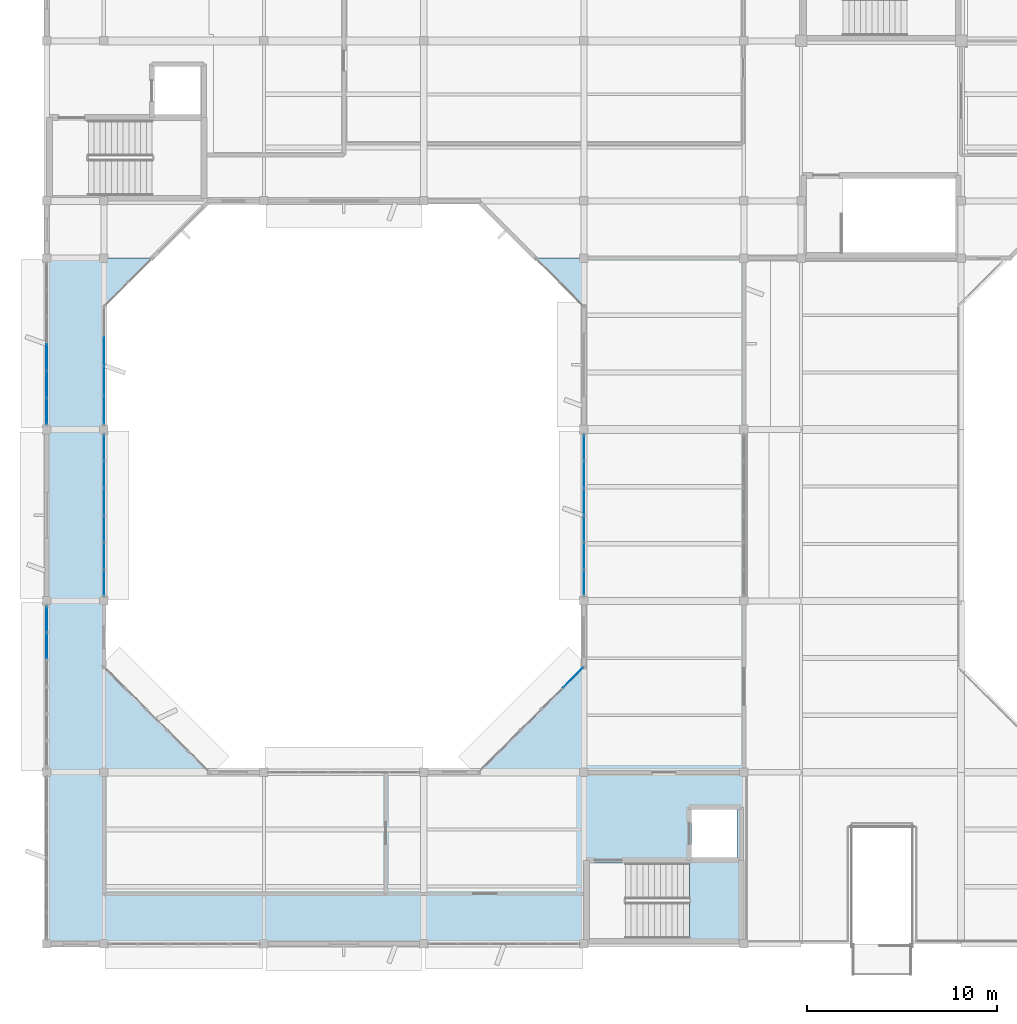
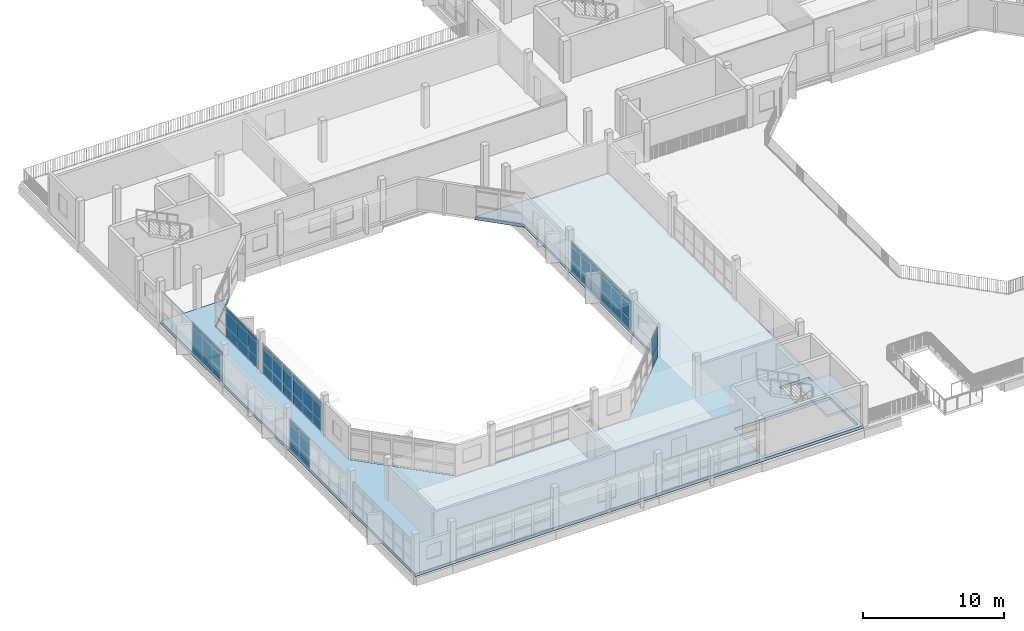
# One storey, part 18 of 42: 63 plates, 2 slabs, 7 elements without a shape of their own.
"""IFC4 building model written with IfcOpenShell, lengths in metres."""

from ifc_helpers import new_model, si_unit, direction, frame, origin, origin_2d, place, context, subcontext, project, spatial, polyline, rectangle, outline, extrude, material, layer, layer_set, type_object, element, aggregate, save


model = new_model("IFC4")

# Units and contexts
model_context = context("Model", 3, precision=1e-05, world=origin(), true_north=direction((0.0, 1.0)))
body_context = subcontext(model_context, "Body", "Model", "MODEL_VIEW")
ifc_project = project(units=[si_unit("LENGTHUNIT", "METRE"), si_unit("AREAUNIT", "SQUARE_METRE"), si_unit("VOLUMEUNIT", "CUBIC_METRE"), si_unit("PLANEANGLEUNIT", "RADIAN"), si_unit("MASSUNIT", "GRAM", prefix="KILO")], contexts=[model_context])

# Site, building, storey
site_placement = place(None, origin())
site = spatial("IfcSite", under=ifc_project, at=site_placement, CompositionType="ELEMENT")
building_placement = place(site_placement, origin())
building = spatial("IfcBuilding", under=site, at=building_placement, Name="Vanh Quang Courtyard School", CompositionType="ELEMENT")
storey_placement = place(building_placement, frame((0.0, 0.0, 15.0)))
storey = spatial("IfcBuildingStorey", under=building, at=storey_placement, Name="L04", CompositionType="ELEMENT", Elevation=15.0)

# Curtain wall, plates
ifc_material_1 = material(Name="Thermally broken aluminium unitised curtain wall", Category="aluminium")
curtain_wall_type_1 = type_object("IfcCurtainWallType", Name="CW-SYS-50", PredefinedType="NOTDEFINED", material=ifc_material_1)
curtain_wall_1_placement = place(storey_placement, origin())
curtain_wall_1 = element("IfcCurtainWall", 1, at=curtain_wall_1_placement, inside=storey, type_object=curtain_wall_type_1, Name="Curtain Wall CW-50 (L04)", PredefinedType="NOTDEFINED")
ifc_material_2 = material(Name="Low-E laminated double glazing", Category="glass")
ifc_layer_1 = layer(ifc_material_2, 0.028076171875)
ifc_layer_set_1 = layer_set([ifc_layer_1], Name="Low-E laminated double glazing")
plate_type_1 = type_object("IfcPlateType", Name="CW-PNL-28", PredefinedType="CURTAIN_PANEL", material=ifc_layer_set_1)
plate_1_placement = place(storey_placement, frame((37.800048828125, 60.359130859375, 0.06005859375), z_axis=(0.0, 0.0, 1.0), x_axis=(0.0, 1.0, 0.0)))
plate_1 = element("IfcPlate", 2, at=plate_1_placement, type_object=plate_type_1, Name="CW-50 panel 1.1", PredefinedType="CURTAIN_PANEL", context=body_context, shape_type="SweptSolid", body=[
    extrude(rectangle(XDim=1.332275390625, YDim=0.028076171875, at=origin_2d()), origin(), (0.0, 0.0, 1.0), 0.860107421875),
])
plate_2_placement = place(storey_placement, frame((37.800048828125, 60.359130859375, 0.97998046875), z_axis=(0.0, 0.0, 1.0), x_axis=(0.0, 1.0, 0.0)))
plate_2 = element("IfcPlate", 3, at=plate_2_placement, type_object=plate_type_1, Name="CW-50 panel 1.2", PredefinedType="CURTAIN_PANEL", context=body_context, shape_type="SweptSolid", body=[
    extrude(rectangle(XDim=1.332275390625, YDim=0.028076171875, at=origin_2d()), origin(), (0.0, 0.0, 1.0), 1.239990234375),
])
plate_3_placement = place(storey_placement, frame((37.800048828125, 60.359130859375, 2.280029296875), z_axis=(0.0, 0.0, 1.0), x_axis=(0.0, 1.0, 0.0)))
plate_3 = element("IfcPlate", 4, at=plate_3_placement, type_object=plate_type_1, Name="CW-50 panel 1.3", PredefinedType="CURTAIN_PANEL", context=body_context, shape_type="SweptSolid", body=[
    extrude(rectangle(XDim=1.332275390625, YDim=0.028076171875, at=origin_2d()), origin(), (0.0, 0.0, 1.0), 0.31005859375),
])
plate_4_placement = place(storey_placement, frame((37.800048828125, 61.7666015625, 0.06005859375), z_axis=(0.0, 0.0, 1.0), x_axis=(0.0, 1.0, 0.0)))
plate_4 = element("IfcPlate", 5, at=plate_4_placement, type_object=plate_type_1, Name="CW-50 panel 2.1", PredefinedType="CURTAIN_PANEL", context=body_context, shape_type="SweptSolid", body=[
    extrude(rectangle(XDim=1.3623046875, YDim=0.028076171875, at=origin_2d()), origin(), (0.0, 0.0, 1.0), 0.860107421875),
])
plate_5_placement = place(storey_placement, frame((37.800048828125, 61.7666015625, 0.97998046875), z_axis=(0.0, 0.0, 1.0), x_axis=(0.0, 1.0, 0.0)))
plate_5 = element("IfcPlate", 6, at=plate_5_placement, type_object=plate_type_1, Name="CW-50 panel 2.2", PredefinedType="CURTAIN_PANEL", context=body_context, shape_type="SweptSolid", body=[
    extrude(rectangle(XDim=1.3623046875, YDim=0.028076171875, at=origin_2d()), origin(), (0.0, 0.0, 1.0), 1.239990234375),
])
plate_6_placement = place(storey_placement, frame((37.800048828125, 61.7666015625, 2.280029296875), z_axis=(0.0, 0.0, 1.0), x_axis=(0.0, 1.0, 0.0)))
plate_6 = element("IfcPlate", 7, at=plate_6_placement, type_object=plate_type_1, Name="CW-50 panel 2.3", PredefinedType="CURTAIN_PANEL", context=body_context, shape_type="SweptSolid", body=[
    extrude(rectangle(XDim=1.3623046875, YDim=0.028076171875, at=origin_2d()), origin(), (0.0, 0.0, 1.0), 0.31005859375),
])
plate_7_placement = place(storey_placement, frame((37.800048828125, 63.188720703125, 0.06005859375), z_axis=(0.0, 0.0, 1.0), x_axis=(0.0, 1.0, 0.0)))
plate_7 = element("IfcPlate", 8, at=plate_7_placement, type_object=plate_type_1, Name="CW-50 panel 3.1", PredefinedType="CURTAIN_PANEL", context=body_context, shape_type="SweptSolid", body=[
    extrude(rectangle(XDim=1.3623046875, YDim=0.028076171875, at=origin_2d()), origin(), (0.0, 0.0, 1.0), 0.860107421875),
])
plate_8_placement = place(storey_placement, frame((37.800048828125, 63.188720703125, 0.97998046875), z_axis=(0.0, 0.0, 1.0), x_axis=(0.0, 1.0, 0.0)))
plate_8 = element("IfcPlate", 9, at=plate_8_placement, type_object=plate_type_1, Name="CW-50 panel 3.2", PredefinedType="CURTAIN_PANEL", context=body_context, shape_type="SweptSolid", body=[
    extrude(rectangle(XDim=1.3623046875, YDim=0.028076171875, at=origin_2d()), origin(), (0.0, 0.0, 1.0), 1.239990234375),
])
plate_9_placement = place(storey_placement, frame((37.800048828125, 63.188720703125, 2.280029296875), z_axis=(0.0, 0.0, 1.0), x_axis=(0.0, 1.0, 0.0)))
plate_9 = element("IfcPlate", 10, at=plate_9_placement, type_object=plate_type_1, Name="CW-50 panel 3.3", PredefinedType="CURTAIN_PANEL", context=body_context, shape_type="SweptSolid", body=[
    extrude(rectangle(XDim=1.3623046875, YDim=0.028076171875, at=origin_2d()), origin(), (0.0, 0.0, 1.0), 0.31005859375),
])
aggregate(curtain_wall_1, [plate_1, plate_2, plate_3, plate_4, plate_5, plate_6, plate_7, plate_8, plate_9])

curtain_wall_2_placement = place(storey_placement, origin())
curtain_wall_2 = element("IfcCurtainWall", 11, at=curtain_wall_2_placement, inside=storey, type_object=curtain_wall_type_1, Name="Curtain Wall CW-50 (L04)", PredefinedType="NOTDEFINED")
plate_10_placement = place(storey_placement, frame((40.800048828125, 58.438232421875, 0.06982421875), z_axis=(0.0, 0.0, 1.0), x_axis=(0.0, -1.0, 0.0)))
plate_10 = element("IfcPlate", 12, at=plate_10_placement, type_object=plate_type_1, Name="CW-50 panel 1.1", PredefinedType="CURTAIN_PANEL", context=body_context, shape_type="SweptSolid", body=[
    extrude(rectangle(XDim=1.3173828125, YDim=0.028076171875, at=origin_2d()), origin(), (0.0, 0.0, 1.0), 0.844970703125),
])
plate_11_placement = place(storey_placement, frame((40.800048828125, 58.438232421875, 0.985107421875), z_axis=(0.0, 0.0, 1.0), x_axis=(0.0, -1.0, 0.0)))
plate_11 = element("IfcPlate", 13, at=plate_11_placement, type_object=plate_type_1, Name="CW-50 panel 1.2", PredefinedType="CURTAIN_PANEL", context=body_context, shape_type="SweptSolid", body=[
    extrude(rectangle(XDim=1.3173828125, YDim=0.028076171875, at=origin_2d()), origin(), (0.0, 0.0, 1.0), 1.22998046875),
])
plate_12_placement = place(storey_placement, frame((40.800048828125, 58.438232421875, 2.28515625), z_axis=(0.0, 0.0, 1.0), x_axis=(0.0, -1.0, 0.0)))
plate_12 = element("IfcPlate", 14, at=plate_12_placement, type_object=plate_type_1, Name="CW-50 panel 1.3", PredefinedType="CURTAIN_PANEL", context=body_context, shape_type="SweptSolid", body=[
    extrude(rectangle(XDim=1.3173828125, YDim=0.028076171875, at=origin_2d()), origin(), (0.0, 0.0, 1.0), 0.294921875),
])
plate_13_placement = place(storey_placement, frame((40.800048828125, 57.033447265625, 0.06982421875), z_axis=(0.0, 0.0, 1.0), x_axis=(0.0, -1.0, 0.0)))
plate_13 = element("IfcPlate", 15, at=plate_13_placement, type_object=plate_type_1, Name="CW-50 panel 2.1", PredefinedType="CURTAIN_PANEL", context=body_context, shape_type="SweptSolid", body=[
    extrude(rectangle(XDim=1.352294921875, YDim=0.028076171875, at=origin_2d()), origin(), (0.0, 0.0, 1.0), 0.844970703125),
])
plate_14_placement = place(storey_placement, frame((40.800048828125, 57.033447265625, 0.985107421875), z_axis=(0.0, 0.0, 1.0), x_axis=(0.0, -1.0, 0.0)))
plate_14 = element("IfcPlate", 16, at=plate_14_placement, type_object=plate_type_1, Name="CW-50 panel 2.2", PredefinedType="CURTAIN_PANEL", context=body_context, shape_type="SweptSolid", body=[
    extrude(rectangle(XDim=1.352294921875, YDim=0.028076171875, at=origin_2d()), origin(), (0.0, 0.0, 1.0), 1.22998046875),
])
plate_15_placement = place(storey_placement, frame((40.800048828125, 57.033447265625, 2.28515625), z_axis=(0.0, 0.0, 1.0), x_axis=(0.0, -1.0, 0.0)))
plate_15 = element("IfcPlate", 17, at=plate_15_placement, type_object=plate_type_1, Name="CW-50 panel 2.3", PredefinedType="CURTAIN_PANEL", context=body_context, shape_type="SweptSolid", body=[
    extrude(rectangle(XDim=1.352294921875, YDim=0.028076171875, at=origin_2d()), origin(), (0.0, 0.0, 1.0), 0.294921875),
])
plate_16_placement = place(storey_placement, frame((40.800048828125, 55.611083984375, 0.06982421875), z_axis=(0.0, 0.0, 1.0), x_axis=(0.0, -1.0, 0.0)))
plate_16 = element("IfcPlate", 18, at=plate_16_placement, type_object=plate_type_1, Name="CW-50 panel 3.1", PredefinedType="CURTAIN_PANEL", context=body_context, shape_type="SweptSolid", body=[
    extrude(rectangle(XDim=1.352294921875, YDim=0.028076171875, at=origin_2d()), origin(), (0.0, 0.0, 1.0), 0.844970703125),
])
plate_17_placement = place(storey_placement, frame((40.800048828125, 55.611083984375, 0.985107421875), z_axis=(0.0, 0.0, 1.0), x_axis=(0.0, -1.0, 0.0)))
plate_17 = element("IfcPlate", 19, at=plate_17_placement, type_object=plate_type_1, Name="CW-50 panel 3.2", PredefinedType="CURTAIN_PANEL", context=body_context, shape_type="SweptSolid", body=[
    extrude(rectangle(XDim=1.352294921875, YDim=0.028076171875, at=origin_2d()), origin(), (0.0, 0.0, 1.0), 1.22998046875),
])
plate_18_placement = place(storey_placement, frame((40.800048828125, 55.611083984375, 2.28515625), z_axis=(0.0, 0.0, 1.0), x_axis=(0.0, -1.0, 0.0)))
plate_18 = element("IfcPlate", 20, at=plate_18_placement, type_object=plate_type_1, Name="CW-50 panel 3.3", PredefinedType="CURTAIN_PANEL", context=body_context, shape_type="SweptSolid", body=[
    extrude(rectangle(XDim=1.352294921875, YDim=0.028076171875, at=origin_2d()), origin(), (0.0, 0.0, 1.0), 0.294921875),
])
plate_19_placement = place(storey_placement, frame((40.800048828125, 54.188720703125, 0.06982421875), z_axis=(0.0, 0.0, 1.0), x_axis=(0.0, -1.0, 0.0)))
plate_19 = element("IfcPlate", 21, at=plate_19_placement, type_object=plate_type_1, Name="CW-50 panel 4.1", PredefinedType="CURTAIN_PANEL", context=body_context, shape_type="SweptSolid", body=[
    extrude(rectangle(XDim=1.352294921875, YDim=0.028076171875, at=origin_2d()), origin(), (0.0, 0.0, 1.0), 0.844970703125),
])
plate_20_placement = place(storey_placement, frame((40.800048828125, 54.188720703125, 0.985107421875), z_axis=(0.0, 0.0, 1.0), x_axis=(0.0, -1.0, 0.0)))
plate_20 = element("IfcPlate", 22, at=plate_20_placement, type_object=plate_type_1, Name="CW-50 panel 4.2", PredefinedType="CURTAIN_PANEL", context=body_context, shape_type="SweptSolid", body=[
    extrude(rectangle(XDim=1.352294921875, YDim=0.028076171875, at=origin_2d()), origin(), (0.0, 0.0, 1.0), 1.22998046875),
])
plate_21_placement = place(storey_placement, frame((40.800048828125, 54.188720703125, 2.28515625), z_axis=(0.0, 0.0, 1.0), x_axis=(0.0, -1.0, 0.0)))
plate_21 = element("IfcPlate", 23, at=plate_21_placement, type_object=plate_type_1, Name="CW-50 panel 4.3", PredefinedType="CURTAIN_PANEL", context=body_context, shape_type="SweptSolid", body=[
    extrude(rectangle(XDim=1.352294921875, YDim=0.028076171875, at=origin_2d()), origin(), (0.0, 0.0, 1.0), 0.294921875),
])
plate_22_placement = place(storey_placement, frame((40.800048828125, 52.7666015625, 0.06982421875), z_axis=(0.0, 0.0, 1.0), x_axis=(0.0, -1.0, 0.0)))
plate_22 = element("IfcPlate", 24, at=plate_22_placement, type_object=plate_type_1, Name="CW-50 panel 5.1", PredefinedType="CURTAIN_PANEL", context=body_context, shape_type="SweptSolid", body=[
    extrude(rectangle(XDim=1.352294921875, YDim=0.028076171875, at=origin_2d()), origin(), (0.0, 0.0, 1.0), 0.844970703125),
])
plate_23_placement = place(storey_placement, frame((40.800048828125, 52.7666015625, 0.985107421875), z_axis=(0.0, 0.0, 1.0), x_axis=(0.0, -1.0, 0.0)))
plate_23 = element("IfcPlate", 25, at=plate_23_placement, type_object=plate_type_1, Name="CW-50 panel 5.2", PredefinedType="CURTAIN_PANEL", context=body_context, shape_type="SweptSolid", body=[
    extrude(rectangle(XDim=1.352294921875, YDim=0.028076171875, at=origin_2d()), origin(), (0.0, 0.0, 1.0), 1.22998046875),
])
plate_24_placement = place(storey_placement, frame((40.800048828125, 52.7666015625, 2.28515625), z_axis=(0.0, 0.0, 1.0), x_axis=(0.0, -1.0, 0.0)))
plate_24 = element("IfcPlate", 26, at=plate_24_placement, type_object=plate_type_1, Name="CW-50 panel 5.3", PredefinedType="CURTAIN_PANEL", context=body_context, shape_type="SweptSolid", body=[
    extrude(rectangle(XDim=1.352294921875, YDim=0.028076171875, at=origin_2d()), origin(), (0.0, 0.0, 1.0), 0.294921875),
])
plate_25_placement = place(storey_placement, frame((40.800048828125, 51.361572265625, 0.06982421875), z_axis=(0.0, 0.0, 1.0), x_axis=(0.0, -1.0, 0.0)))
plate_25 = element("IfcPlate", 27, at=plate_25_placement, type_object=plate_type_1, Name="CW-50 panel 6.1", PredefinedType="CURTAIN_PANEL", context=body_context, shape_type="SweptSolid", body=[
    extrude(rectangle(XDim=1.3173828125, YDim=0.028076171875, at=origin_2d()), origin(), (0.0, 0.0, 1.0), 0.844970703125),
])
plate_26_placement = place(storey_placement, frame((40.800048828125, 51.361572265625, 0.985107421875), z_axis=(0.0, 0.0, 1.0), x_axis=(0.0, -1.0, 0.0)))
plate_26 = element("IfcPlate", 28, at=plate_26_placement, type_object=plate_type_1, Name="CW-50 panel 6.2", PredefinedType="CURTAIN_PANEL", context=body_context, shape_type="SweptSolid", body=[
    extrude(rectangle(XDim=1.3173828125, YDim=0.028076171875, at=origin_2d()), origin(), (0.0, 0.0, 1.0), 1.22998046875),
])
plate_27_placement = place(storey_placement, frame((40.800048828125, 51.361572265625, 2.28515625), z_axis=(0.0, 0.0, 1.0), x_axis=(0.0, -1.0, 0.0)))
plate_27 = element("IfcPlate", 29, at=plate_27_placement, type_object=plate_type_1, Name="CW-50 panel 6.3", PredefinedType="CURTAIN_PANEL", context=body_context, shape_type="SweptSolid", body=[
    extrude(rectangle(XDim=1.3173828125, YDim=0.028076171875, at=origin_2d()), origin(), (0.0, 0.0, 1.0), 0.294921875),
])
aggregate(curtain_wall_2, [plate_10, plate_11, plate_12, plate_13, plate_14, plate_15, plate_16, plate_17, plate_18, plate_19, plate_20, plate_21, plate_22, plate_23, plate_24, plate_25, plate_26, plate_27])

curtain_wall_3_placement = place(storey_placement, origin())
curtain_wall_3 = element("IfcCurtainWall", 30, at=curtain_wall_3_placement, inside=storey, type_object=curtain_wall_type_1, Name="Curtain Wall CW-50 (L04)", PredefinedType="NOTDEFINED")
plate_28_placement = place(storey_placement, frame((66.0, 51.3642578125, 0.080078125), z_axis=(0.0, 0.0, 1.0), x_axis=(0.0, 1.0, 0.0)))
plate_28 = element("IfcPlate", 31, at=plate_28_placement, type_object=plate_type_1, Name="CW-50 panel 1.1", PredefinedType="CURTAIN_PANEL", context=body_context, shape_type="SweptSolid", body=[
    extrude(rectangle(XDim=1.30224609375, YDim=0.028076171875, at=origin_2d()), origin(), (0.0, 0.0, 1.0), 0.830078125),
])
plate_29_placement = place(storey_placement, frame((66.0, 51.3642578125, 0.990234375), z_axis=(0.0, 0.0, 1.0), x_axis=(0.0, 1.0, 0.0)))
plate_29 = element("IfcPlate", 32, at=plate_29_placement, type_object=plate_type_1, Name="CW-50 panel 1.2", PredefinedType="CURTAIN_PANEL", context=body_context, shape_type="SweptSolid", body=[
    extrude(rectangle(XDim=1.30224609375, YDim=0.028076171875, at=origin_2d()), origin(), (0.0, 0.0, 1.0), 1.219970703125),
])
plate_30_placement = place(storey_placement, frame((66.0, 51.3642578125, 2.2900390625), z_axis=(0.0, 0.0, 1.0), x_axis=(0.0, 1.0, 0.0)))
plate_30 = element("IfcPlate", 33, at=plate_30_placement, type_object=plate_type_1, Name="CW-50 panel 1.3", PredefinedType="CURTAIN_PANEL", context=body_context, shape_type="SweptSolid", body=[
    extrude(rectangle(XDim=1.30224609375, YDim=0.028076171875, at=origin_2d()), origin(), (0.0, 0.0, 1.0), 0.280029296875),
])
plate_31_placement = place(storey_placement, frame((66.0, 52.7666015625, 0.080078125), z_axis=(0.0, 0.0, 1.0), x_axis=(0.0, 1.0, 0.0)))
plate_31 = element("IfcPlate", 34, at=plate_31_placement, type_object=plate_type_1, Name="CW-50 panel 2.1", PredefinedType="CURTAIN_PANEL", context=body_context, shape_type="SweptSolid", body=[
    extrude(rectangle(XDim=1.34228515625, YDim=0.028076171875, at=origin_2d()), origin(), (0.0, 0.0, 1.0), 0.830078125),
])
plate_32_placement = place(storey_placement, frame((66.0, 52.7666015625, 0.990234375), z_axis=(0.0, 0.0, 1.0), x_axis=(0.0, 1.0, 0.0)))
plate_32 = element("IfcPlate", 35, at=plate_32_placement, type_object=plate_type_1, Name="CW-50 panel 2.2", PredefinedType="CURTAIN_PANEL", context=body_context, shape_type="SweptSolid", body=[
    extrude(rectangle(XDim=1.34228515625, YDim=0.028076171875, at=origin_2d()), origin(), (0.0, 0.0, 1.0), 1.219970703125),
])
plate_33_placement = place(storey_placement, frame((66.0, 52.7666015625, 2.2900390625), z_axis=(0.0, 0.0, 1.0), x_axis=(0.0, 1.0, 0.0)))
plate_33 = element("IfcPlate", 36, at=plate_33_placement, type_object=plate_type_1, Name="CW-50 panel 2.3", PredefinedType="CURTAIN_PANEL", context=body_context, shape_type="SweptSolid", body=[
    extrude(rectangle(XDim=1.34228515625, YDim=0.028076171875, at=origin_2d()), origin(), (0.0, 0.0, 1.0), 0.280029296875),
])
plate_34_placement = place(storey_placement, frame((66.0, 54.188720703125, 0.080078125), z_axis=(0.0, 0.0, 1.0), x_axis=(0.0, 1.0, 0.0)))
plate_34 = element("IfcPlate", 37, at=plate_34_placement, type_object=plate_type_1, Name="CW-50 panel 3.1", PredefinedType="CURTAIN_PANEL", context=body_context, shape_type="SweptSolid", body=[
    extrude(rectangle(XDim=1.34228515625, YDim=0.028076171875, at=origin_2d()), origin(), (0.0, 0.0, 1.0), 0.830078125),
])
plate_35_placement = place(storey_placement, frame((66.0, 54.188720703125, 0.990234375), z_axis=(0.0, 0.0, 1.0), x_axis=(0.0, 1.0, 0.0)))
plate_35 = element("IfcPlate", 38, at=plate_35_placement, type_object=plate_type_1, Name="CW-50 panel 3.2", PredefinedType="CURTAIN_PANEL", context=body_context, shape_type="SweptSolid", body=[
    extrude(rectangle(XDim=1.34228515625, YDim=0.028076171875, at=origin_2d()), origin(), (0.0, 0.0, 1.0), 1.219970703125),
])
plate_36_placement = place(storey_placement, frame((66.0, 54.188720703125, 2.2900390625), z_axis=(0.0, 0.0, 1.0), x_axis=(0.0, 1.0, 0.0)))
plate_36 = element("IfcPlate", 39, at=plate_36_placement, type_object=plate_type_1, Name="CW-50 panel 3.3", PredefinedType="CURTAIN_PANEL", context=body_context, shape_type="SweptSolid", body=[
    extrude(rectangle(XDim=1.34228515625, YDim=0.028076171875, at=origin_2d()), origin(), (0.0, 0.0, 1.0), 0.280029296875),
])
plate_37_placement = place(storey_placement, frame((66.0, 55.611083984375, 0.080078125), z_axis=(0.0, 0.0, 1.0), x_axis=(0.0, 1.0, 0.0)))
plate_37 = element("IfcPlate", 40, at=plate_37_placement, type_object=plate_type_1, Name="CW-50 panel 4.1", PredefinedType="CURTAIN_PANEL", context=body_context, shape_type="SweptSolid", body=[
    extrude(rectangle(XDim=1.34228515625, YDim=0.028076171875, at=origin_2d()), origin(), (0.0, 0.0, 1.0), 0.830078125),
])
plate_38_placement = place(storey_placement, frame((66.0, 55.611083984375, 0.990234375), z_axis=(0.0, 0.0, 1.0), x_axis=(0.0, 1.0, 0.0)))
plate_38 = element("IfcPlate", 41, at=plate_38_placement, type_object=plate_type_1, Name="CW-50 panel 4.2", PredefinedType="CURTAIN_PANEL", context=body_context, shape_type="SweptSolid", body=[
    extrude(rectangle(XDim=1.34228515625, YDim=0.028076171875, at=origin_2d()), origin(), (0.0, 0.0, 1.0), 1.219970703125),
])
plate_39_placement = place(storey_placement, frame((66.0, 55.611083984375, 2.2900390625), z_axis=(0.0, 0.0, 1.0), x_axis=(0.0, 1.0, 0.0)))
plate_39 = element("IfcPlate", 42, at=plate_39_placement, type_object=plate_type_1, Name="CW-50 panel 4.3", PredefinedType="CURTAIN_PANEL", context=body_context, shape_type="SweptSolid", body=[
    extrude(rectangle(XDim=1.34228515625, YDim=0.028076171875, at=origin_2d()), origin(), (0.0, 0.0, 1.0), 0.280029296875),
])
plate_40_placement = place(storey_placement, frame((66.0, 57.033447265625, 0.080078125), z_axis=(0.0, 0.0, 1.0), x_axis=(0.0, 1.0, 0.0)))
plate_40 = element("IfcPlate", 43, at=plate_40_placement, type_object=plate_type_1, Name="CW-50 panel 5.1", PredefinedType="CURTAIN_PANEL", context=body_context, shape_type="SweptSolid", body=[
    extrude(rectangle(XDim=1.34228515625, YDim=0.028076171875, at=origin_2d()), origin(), (0.0, 0.0, 1.0), 0.830078125),
])
plate_41_placement = place(storey_placement, frame((66.0, 57.033447265625, 0.990234375), z_axis=(0.0, 0.0, 1.0), x_axis=(0.0, 1.0, 0.0)))
plate_41 = element("IfcPlate", 44, at=plate_41_placement, type_object=plate_type_1, Name="CW-50 panel 5.2", PredefinedType="CURTAIN_PANEL", context=body_context, shape_type="SweptSolid", body=[
    extrude(rectangle(XDim=1.34228515625, YDim=0.028076171875, at=origin_2d()), origin(), (0.0, 0.0, 1.0), 1.219970703125),
])
plate_42_placement = place(storey_placement, frame((66.0, 57.033447265625, 2.2900390625), z_axis=(0.0, 0.0, 1.0), x_axis=(0.0, 1.0, 0.0)))
plate_42 = element("IfcPlate", 45, at=plate_42_placement, type_object=plate_type_1, Name="CW-50 panel 5.3", PredefinedType="CURTAIN_PANEL", context=body_context, shape_type="SweptSolid", body=[
    extrude(rectangle(XDim=1.34228515625, YDim=0.028076171875, at=origin_2d()), origin(), (0.0, 0.0, 1.0), 0.280029296875),
])
plate_43_placement = place(storey_placement, frame((66.0, 58.435791015625, 0.080078125), z_axis=(0.0, 0.0, 1.0), x_axis=(0.0, 1.0, 0.0)))
plate_43 = element("IfcPlate", 46, at=plate_43_placement, type_object=plate_type_1, Name="CW-50 panel 6.1", PredefinedType="CURTAIN_PANEL", context=body_context, shape_type="SweptSolid", body=[
    extrude(rectangle(XDim=1.30224609375, YDim=0.028076171875, at=origin_2d()), origin(), (0.0, 0.0, 1.0), 0.830078125),
])
plate_44_placement = place(storey_placement, frame((66.0, 58.435791015625, 0.990234375), z_axis=(0.0, 0.0, 1.0), x_axis=(0.0, 1.0, 0.0)))
plate_44 = element("IfcPlate", 47, at=plate_44_placement, type_object=plate_type_1, Name="CW-50 panel 6.2", PredefinedType="CURTAIN_PANEL", context=body_context, shape_type="SweptSolid", body=[
    extrude(rectangle(XDim=1.30224609375, YDim=0.028076171875, at=origin_2d()), origin(), (0.0, 0.0, 1.0), 1.219970703125),
])
plate_45_placement = place(storey_placement, frame((66.0, 58.435791015625, 2.2900390625), z_axis=(0.0, 0.0, 1.0), x_axis=(0.0, 1.0, 0.0)))
plate_45 = element("IfcPlate", 48, at=plate_45_placement, type_object=plate_type_1, Name="CW-50 panel 6.3", PredefinedType="CURTAIN_PANEL", context=body_context, shape_type="SweptSolid", body=[
    extrude(rectangle(XDim=1.30224609375, YDim=0.028076171875, at=origin_2d()), origin(), (0.0, 0.0, 1.0), 0.280029296875),
])
aggregate(curtain_wall_3, [plate_28, plate_29, plate_30, plate_31, plate_32, plate_33, plate_34, plate_35, plate_36, plate_37, plate_38, plate_39, plate_40, plate_41, plate_42, plate_43, plate_44, plate_45])

curtain_wall_4_placement = place(storey_placement, origin())
curtain_wall_4 = element("IfcCurtainWall", 49, at=curtain_wall_4_placement, inside=storey, type_object=curtain_wall_type_1, Name="Curtain Wall CW-50 (L04)", PredefinedType="NOTDEFINED")
ifc_layer_2 = layer(ifc_material_2, 0.031982421875)
ifc_layer_set_2 = layer_set([ifc_layer_2], Name="Low-E laminated double glazing")
plate_type_2 = type_object("IfcPlateType", Name="CW-PNL-32", PredefinedType="CURTAIN_PANEL", material=ifc_layer_set_2)
plate_46_placement = place(storey_placement, frame((37.800048828125, 48.033447265625, 0.080078125), z_axis=(0.0, 0.0, 1.0), x_axis=(0.0, 1.0, 0.0)))
plate_46 = element("IfcPlate", 50, at=plate_46_placement, type_object=plate_type_2, Name="CW-50 panel 5.1", PredefinedType="CURTAIN_PANEL", context=body_context, shape_type="SweptSolid", body=[
    extrude(rectangle(XDim=1.34228515625, YDim=0.031982421875, at=origin_2d()), origin(), (0.0, 0.0, 1.0), 0.830078125),
])
plate_47_placement = place(storey_placement, frame((37.800048828125, 48.033447265625, 0.990234375), z_axis=(0.0, 0.0, 1.0), x_axis=(0.0, 1.0, 0.0)))
plate_47 = element("IfcPlate", 51, at=plate_47_placement, type_object=plate_type_2, Name="CW-50 panel 5.2", PredefinedType="CURTAIN_PANEL", context=body_context, shape_type="SweptSolid", body=[
    extrude(rectangle(XDim=1.34228515625, YDim=0.031982421875, at=origin_2d()), origin(), (0.0, 0.0, 1.0), 1.219970703125),
])
plate_48_placement = place(storey_placement, frame((37.800048828125, 48.033447265625, 2.2900390625), z_axis=(0.0, 0.0, 1.0), x_axis=(0.0, 1.0, 0.0)))
plate_48 = element("IfcPlate", 52, at=plate_48_placement, type_object=plate_type_2, Name="CW-50 panel 5.3", PredefinedType="CURTAIN_PANEL", context=body_context, shape_type="SweptSolid", body=[
    extrude(rectangle(XDim=1.34228515625, YDim=0.031982421875, at=origin_2d()), origin(), (0.0, 0.0, 1.0), 0.280029296875),
])
plate_49_placement = place(storey_placement, frame((37.800048828125, 49.435791015625, 0.080078125), z_axis=(0.0, 0.0, 1.0), x_axis=(0.0, 1.0, 0.0)))
plate_49 = element("IfcPlate", 53, at=plate_49_placement, type_object=plate_type_2, Name="CW-50 panel 6.1", PredefinedType="CURTAIN_PANEL", context=body_context, shape_type="SweptSolid", body=[
    extrude(rectangle(XDim=1.30224609375, YDim=0.031982421875, at=origin_2d()), origin(), (0.0, 0.0, 1.0), 0.830078125),
])
plate_50_placement = place(storey_placement, frame((37.800048828125, 49.435791015625, 0.990234375), z_axis=(0.0, 0.0, 1.0), x_axis=(0.0, 1.0, 0.0)))
plate_50 = element("IfcPlate", 54, at=plate_50_placement, type_object=plate_type_2, Name="CW-50 panel 6.2", PredefinedType="CURTAIN_PANEL", context=body_context, shape_type="SweptSolid", body=[
    extrude(rectangle(XDim=1.30224609375, YDim=0.031982421875, at=origin_2d()), origin(), (0.0, 0.0, 1.0), 1.219970703125),
])
plate_51_placement = place(storey_placement, frame((37.800048828125, 49.435791015625, 2.2900390625), z_axis=(0.0, 0.0, 1.0), x_axis=(0.0, 1.0, 0.0)))
plate_51 = element("IfcPlate", 55, at=plate_51_placement, type_object=plate_type_2, Name="CW-50 panel 6.3", PredefinedType="CURTAIN_PANEL", context=body_context, shape_type="SweptSolid", body=[
    extrude(rectangle(XDim=1.30224609375, YDim=0.031982421875, at=origin_2d()), origin(), (0.0, 0.0, 1.0), 0.280029296875),
])
aggregate(curtain_wall_4, [plate_46, plate_47, plate_48, plate_49, plate_50, plate_51])

curtain_wall_type_2 = type_object("IfcCurtainWallType", Name="CW-SYS-44", PredefinedType="NOTDEFINED", material=ifc_material_1)
curtain_wall_5_placement = place(storey_placement, origin())
curtain_wall_5 = element("IfcCurtainWall", 56, at=curtain_wall_5_placement, inside=storey, type_object=curtain_wall_type_2, Name="Curtain Wall CW-44 (L04)", PredefinedType="NOTDEFINED")
plate_52_placement = place(storey_placement, frame((40.800048828125, 63.5224609375, 0.06005859375), z_axis=(0.0, 0.0, 1.0), x_axis=(0.0, -1.0, 0.0)))
plate_52 = element("IfcPlate", 57, at=plate_52_placement, type_object=plate_type_2, Name="CW-44 panel 2.1", PredefinedType="CURTAIN_PANEL", context=body_context, shape_type="SweptSolid", body=[
    extrude(rectangle(XDim=1.495849609375, YDim=0.031982421875, at=origin_2d()), origin(), (0.0, 0.0, 1.0), 0.860107421875),
])
plate_53_placement = place(storey_placement, frame((40.800048828125, 63.5224609375, 0.97998046875), z_axis=(0.0, 0.0, 1.0), x_axis=(0.0, -1.0, 0.0)))
plate_53 = element("IfcPlate", 58, at=plate_53_placement, type_object=plate_type_2, Name="CW-44 panel 2.2", PredefinedType="CURTAIN_PANEL", context=body_context, shape_type="SweptSolid", body=[
    extrude(rectangle(XDim=1.495849609375, YDim=0.031982421875, at=origin_2d()), origin(), (0.0, 0.0, 1.0), 1.239990234375),
])
plate_54_placement = place(storey_placement, frame((40.800048828125, 63.5224609375, 2.280029296875), z_axis=(0.0, 0.0, 1.0), x_axis=(0.0, -1.0, 0.0)))
plate_54 = element("IfcPlate", 59, at=plate_54_placement, type_object=plate_type_2, Name="CW-44 panel 2.3", PredefinedType="CURTAIN_PANEL", context=body_context, shape_type="SweptSolid", body=[
    extrude(rectangle(XDim=1.495849609375, YDim=0.031982421875, at=origin_2d()), origin(), (0.0, 0.0, 1.0), 0.31005859375),
])
plate_55_placement = place(storey_placement, frame((40.800048828125, 61.966552734375, 0.06005859375), z_axis=(0.0, 0.0, 1.0), x_axis=(0.0, -1.0, 0.0)))
plate_55 = element("IfcPlate", 60, at=plate_55_placement, type_object=plate_type_2, Name="CW-44 panel 3.1", PredefinedType="CURTAIN_PANEL", context=body_context, shape_type="SweptSolid", body=[
    extrude(rectangle(XDim=1.495849609375, YDim=0.031982421875, at=origin_2d()), origin(), (0.0, 0.0, 1.0), 0.860107421875),
])
plate_56_placement = place(storey_placement, frame((40.800048828125, 61.966552734375, 0.97998046875), z_axis=(0.0, 0.0, 1.0), x_axis=(0.0, -1.0, 0.0)))
plate_56 = element("IfcPlate", 61, at=plate_56_placement, type_object=plate_type_2, Name="CW-44 panel 3.2", PredefinedType="CURTAIN_PANEL", context=body_context, shape_type="SweptSolid", body=[
    extrude(rectangle(XDim=1.495849609375, YDim=0.031982421875, at=origin_2d()), origin(), (0.0, 0.0, 1.0), 1.239990234375),
])
plate_57_placement = place(storey_placement, frame((40.800048828125, 61.966552734375, 2.280029296875), z_axis=(0.0, 0.0, 1.0), x_axis=(0.0, -1.0, 0.0)))
plate_57 = element("IfcPlate", 62, at=plate_57_placement, type_object=plate_type_2, Name="CW-44 panel 3.3", PredefinedType="CURTAIN_PANEL", context=body_context, shape_type="SweptSolid", body=[
    extrude(rectangle(XDim=1.495849609375, YDim=0.031982421875, at=origin_2d()), origin(), (0.0, 0.0, 1.0), 0.31005859375),
])
plate_58_placement = place(storey_placement, frame((40.800048828125, 60.42578125, 0.06005859375), z_axis=(0.0, 0.0, 1.0), x_axis=(0.0, -1.0, 0.0)))
plate_58 = element("IfcPlate", 63, at=plate_58_placement, type_object=plate_type_2, Name="CW-44 panel 4.1", PredefinedType="CURTAIN_PANEL", context=body_context, shape_type="SweptSolid", body=[
    extrude(rectangle(XDim=1.4658203125, YDim=0.031982421875, at=origin_2d()), origin(), (0.0, 0.0, 1.0), 0.860107421875),
])
plate_59_placement = place(storey_placement, frame((40.800048828125, 60.42578125, 0.97998046875), z_axis=(0.0, 0.0, 1.0), x_axis=(0.0, -1.0, 0.0)))
plate_59 = element("IfcPlate", 64, at=plate_59_placement, type_object=plate_type_2, Name="CW-44 panel 4.2", PredefinedType="CURTAIN_PANEL", context=body_context, shape_type="SweptSolid", body=[
    extrude(rectangle(XDim=1.4658203125, YDim=0.031982421875, at=origin_2d()), origin(), (0.0, 0.0, 1.0), 1.239990234375),
])
plate_60_placement = place(storey_placement, frame((40.800048828125, 60.42578125, 2.280029296875), z_axis=(0.0, 0.0, 1.0), x_axis=(0.0, -1.0, 0.0)))
plate_60 = element("IfcPlate", 65, at=plate_60_placement, type_object=plate_type_2, Name="CW-44 panel 4.3", PredefinedType="CURTAIN_PANEL", context=body_context, shape_type="SweptSolid", body=[
    extrude(rectangle(XDim=1.4658203125, YDim=0.031982421875, at=origin_2d()), origin(), (0.0, 0.0, 1.0), 0.31005859375),
])
aggregate(curtain_wall_5, [plate_52, plate_53, plate_54, plate_55, plate_56, plate_57, plate_58, plate_59, plate_60])

curtain_wall_type_3 = type_object("IfcCurtainWallType", Name="CW-SYS-51", PredefinedType="NOTDEFINED", material=ifc_material_1)
curtain_wall_6_placement = place(storey_placement, origin())
curtain_wall_6 = element("IfcCurtainWall", 66, at=curtain_wall_6_placement, inside=storey, type_object=curtain_wall_type_3, Name="Curtain Wall CW-51 (L04)", PredefinedType="NOTDEFINED")
plate_61_placement = place(storey_placement, frame((65.43310546875, 46.377197265625, 0.06982421875), z_axis=(0.0, 0.0, 1.0), x_axis=(0.707106781187, 0.707106781187, 0.0)))
plate_61 = element("IfcPlate", 67, at=plate_61_placement, type_object=plate_type_2, Name="CW-51 panel 5.1", PredefinedType="CURTAIN_PANEL", context=body_context, shape_type="SweptSolid", body=[
    extrude(rectangle(XDim=1.463134765625, YDim=0.031982421875, at=origin_2d()), origin(), (0.0, 0.0, 1.0), 0.844970703125),
])
plate_62_placement = place(storey_placement, frame((65.43310546875, 46.377197265625, 0.985107421875), z_axis=(0.0, 0.0, 1.0), x_axis=(0.707106781187, 0.707106781187, 0.0)))
plate_62 = element("IfcPlate", 68, at=plate_62_placement, type_object=plate_type_2, Name="CW-51 panel 5.2", PredefinedType="CURTAIN_PANEL", context=body_context, shape_type="SweptSolid", body=[
    extrude(rectangle(XDim=1.463134765625, YDim=0.031982421875, at=origin_2d()), origin(), (0.0, 0.0, 1.0), 1.22998046875),
])
plate_63_placement = place(storey_placement, frame((65.43310546875, 46.377197265625, 2.28515625), z_axis=(0.0, 0.0, 1.0), x_axis=(0.707106781187, 0.707106781187, 0.0)))
plate_63 = element("IfcPlate", 69, at=plate_63_placement, type_object=plate_type_2, Name="CW-51 panel 5.3", PredefinedType="CURTAIN_PANEL", context=body_context, shape_type="SweptSolid", body=[
    extrude(rectangle(XDim=1.463134765625, YDim=0.031982421875, at=origin_2d()), origin(), (0.0, 0.0, 1.0), 0.344970703125),
])
aggregate(curtain_wall_6, [plate_61, plate_62, plate_63])

# Slab
ifc_material_3 = material(Name="Concrete C30/37", Category="concrete")
ifc_layer_3 = layer(ifc_material_3, 0.260009765625)
ifc_layer_set_3 = layer_set([ifc_layer_3], Name="Concrete C30/37")
slab_type_1 = type_object("IfcSlabType", Name="SLB-FLR-260", PredefinedType="FLOOR", material=ifc_layer_set_3)
slab_1_placement = place(storey_placement, frame((0.0, 0.0, -0.260009765625)))
element("IfcSlab", 70, at=slab_1_placement, inside=storey, type_object=slab_type_1, Name="Slab SF-03 (L04)", PredefinedType="FLOOR", context=body_context, shape_type="SweptSolid", body=[
    extrude(outline(polyline([(63.4560546875, 68.39990234375), (66.0, 65.85595703125), (66.0, 46.944091796875), (60.4560546875, 41.39990234375), (46.343994140625, 41.39990234375), (40.800048828125, 46.944091796875), (40.800048828125, 65.85595703125), (43.343994140625, 68.39990234375), (37.800048828125, 68.39990234375), (37.800048828125, 32.39990234375), (74.39990234375, 32.39990234375), (74.39990234375, 68.39990234375), (63.4560546875, 68.39990234375)]), holes=[polyline([(74.1201171875, 32.679931640625), (66.280029296875, 32.679931640625), (66.280029296875, 36.639892578125), (74.1201171875, 36.639892578125), (74.1201171875, 32.679931640625)]), polyline([(74.050048828125, 36.919921875), (71.64990234375, 36.919921875), (71.64990234375, 39.469970703125), (74.050048828125, 39.469970703125), (74.050048828125, 36.919921875)])]), origin(), (0.0, 0.0, 1.0), 0.260009765625),
])

# Stair, slab
stair_type = type_object("IfcStairType", Name="STR-CORE-1900", PredefinedType="HALF_TURN_STAIR", material=ifc_material_3)
stair_placement = place(storey_placement, origin())
stair = element("IfcStair", 71, at=stair_placement, inside=storey, type_object=stair_type, Name="L04 ST-04", PredefinedType="HALF_TURN_STAIR")
ifc_layer_4 = layer(ifc_material_3, 0.199951171875)
ifc_layer_set_4 = layer_set([ifc_layer_4], Name="Concrete C30/37")
slab_type_2 = type_object("IfcSlabType", Name="SLB-LND-200", PredefinedType="LANDING", material=ifc_layer_set_4)
slab_2_placement = place(storey_placement, frame((0.0, 0.0, 1.60009765625)))
slab_2 = element("IfcSlab", 72, at=slab_2_placement, type_object=slab_type_2, Name="ST-04 landing 1", PredefinedType="LANDING", context=body_context, shape_type="SweptSolid", body=[
    extrude(outline(polyline([(71.534912109375, 32.52001953125), (74.280029296875, 32.52001953125), (74.280029296875, 36.800048828125), (71.534912109375, 36.800048828125), (71.534912109375, 32.52001953125)])), origin(), (0.0, 0.0, 1.0), 0.199951171875),
])
aggregate(stair, [slab_2])

save(model, "model.ifc")
